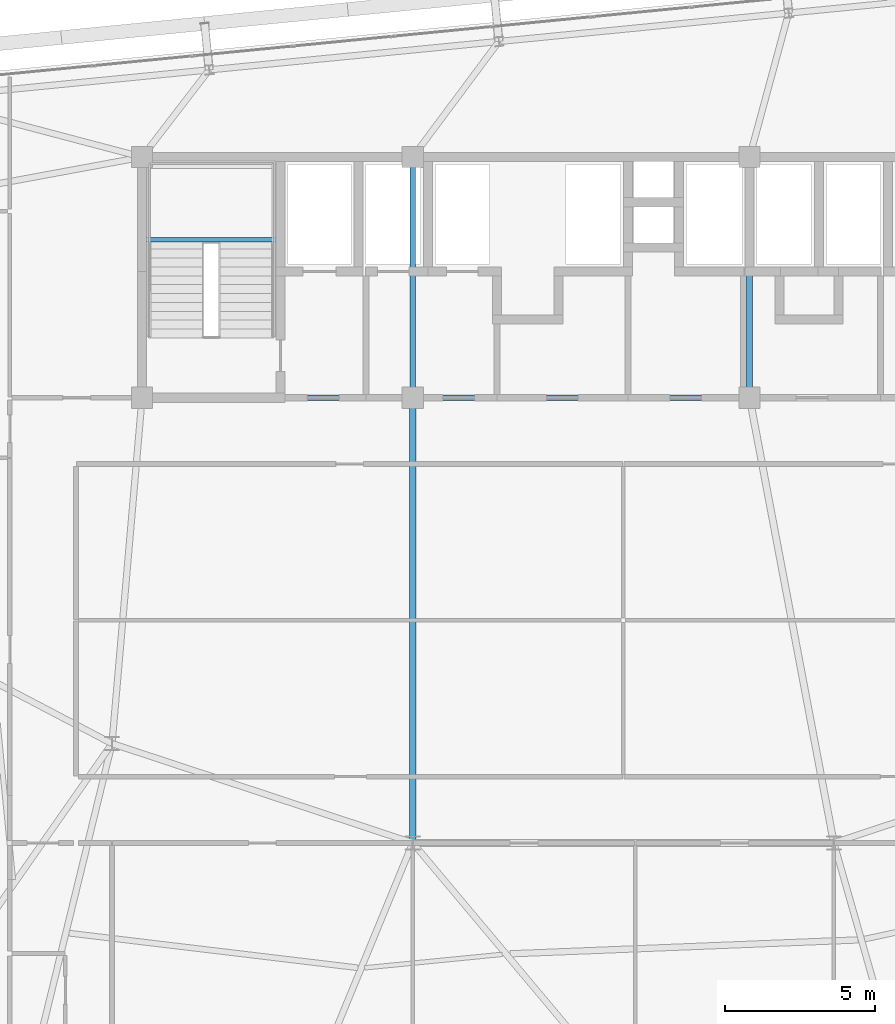
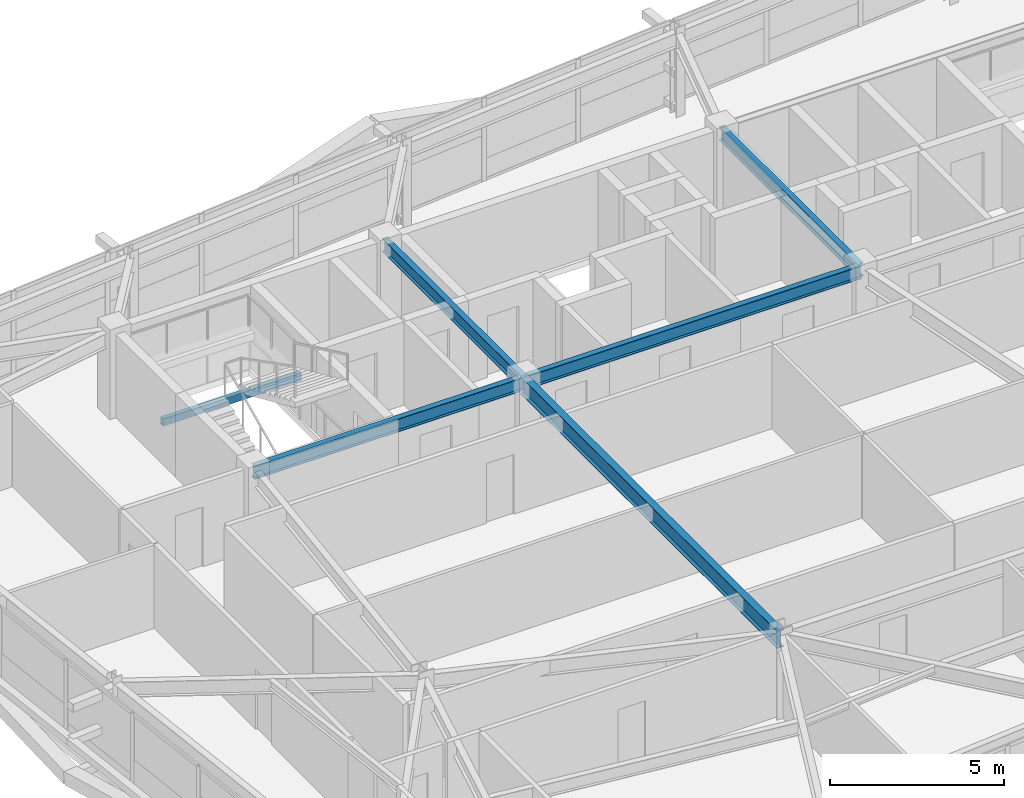
# One storey, part 16 of 52: 6 beams.
"""IFC4 building model written with IfcOpenShell, lengths in metres."""

from ifc_helpers import new_model, si_unit, direction, frame, origin, origin_2d, place, context, subcontext, project, spatial, hollow_rectangle, i_section, extrude, source, transform, mapped, material, material_profile, profile_set, type_object, element, save


model = new_model("IFC4")

# Units and contexts
model_context = context("Model", 3, precision=1e-05, world=origin(), true_north=direction((0.0, 1.0)))
body_context = subcontext(model_context, "Body", "Model", "MODEL_VIEW")
ifc_project = project(units=[si_unit("LENGTHUNIT", "METRE"), si_unit("AREAUNIT", "SQUARE_METRE"), si_unit("VOLUMEUNIT", "CUBIC_METRE"), si_unit("PLANEANGLEUNIT", "RADIAN"), si_unit("MASSUNIT", "GRAM", prefix="KILO")], contexts=[model_context])

# Site, building, storey
site_placement = place(None, origin())
site = spatial("IfcSite", under=ifc_project, at=site_placement, CompositionType="ELEMENT")
building_placement = place(site_placement, origin())
building = spatial("IfcBuilding", under=site, at=building_placement, Name="Taldren Reach Tower", CompositionType="ELEMENT")
storey_placement = place(building_placement, frame((0.0, 0.0, 77.699951171875)))
storey = spatial("IfcBuildingStorey", under=building, at=storey_placement, Name="L23", CompositionType="ELEMENT", Elevation=77.699951171875)

# Beams
ifc_material_1 = material(Name="Steel Gr 350 (350PLUS)", Category="steel")
ifc_material_profile_1 = material_profile(ifc_material_1, i_section(OverallWidth=0.19091796875, OverallDepth=0.4599609375, WebThickness=0.010009765625, FlangeThickness=0.01611328125, at=origin_2d()), Name="460UB82.1")
ifc_profile_set_1 = profile_set([ifc_material_profile_1], Name="Steel Gr 350 (350PLUS)")
beam_type_1 = type_object("IfcBeamType", Name="BM-UB460A", PredefinedType="BEAM", material=ifc_profile_set_1)
shared_shape_1 = source(origin(), body_context, "Body", "SweptSolid", [
    extrude(i_section(OverallWidth=0.19091796875, OverallDepth=0.4599609375, WebThickness=0.010009765625, FlangeThickness=0.01611328125, at=origin_2d()), origin(), (0.0, 0.0, 1.0), 9.0),
])
beam_1_placement = place(storey_placement, frame((19.0, 24.0, 2.699951171875), z_axis=(1.0, 0.0, 0.0), x_axis=(0.0, 1.0, 0.0)))
element("IfcBeam", 1, at=beam_1_placement, inside=storey, type_object=beam_type_1, Name="Core-spine girder L23-SP01", PredefinedType="BEAM", context=body_context, shape_type="MappedRepresentation", body=[
    mapped(shared_shape_1, transform((0.0, 0.0, 0.0), scale=1.0)),
])
shared_shape_2 = source(origin(), body_context, "Body", "SweptSolid", [
    extrude(i_section(OverallWidth=0.19091796875, OverallDepth=0.4599609375, WebThickness=0.010009765625, FlangeThickness=0.01611328125, at=origin_2d()), origin(), (0.0, 0.0, 1.0), 11.199951171875),
])
beam_2_placement = place(storey_placement, frame((28.0, 24.0, 2.699951171875), z_axis=(1.0, 0.0, 0.0), x_axis=(0.0, 1.0, 0.0)))
element("IfcBeam", 2, at=beam_2_placement, inside=storey, type_object=beam_type_1, Name="Core-spine girder L23-SP02", PredefinedType="BEAM", context=body_context, shape_type="MappedRepresentation", body=[
    mapped(shared_shape_2, transform((0.0, 0.0, 0.0), scale=1.0)),
])
shared_shape_3 = source(origin(), body_context, "Body", "SweptSolid", [
    extrude(i_section(OverallWidth=0.19091796875, OverallDepth=0.4599609375, WebThickness=0.010009765625, FlangeThickness=0.01611328125, at=origin_2d()), origin(), (0.0, 0.0, 1.0), 8.0),
])
for number, where, z_axis, x_axis, name in (
    (3, (28.0, 24.0, 2.699951171875), (0.0, 1.0, 0.0), (-1.0, 0.0, 0.0), "Core-spine girder L23-SP07"),
    (4, (39.199951171875, 24.0, 2.699951171875), (0.0, 1.0, 0.0), (-1.0, 0.0, 0.0), "Core-spine girder L23-SP08"),
):
    element("IfcBeam", number, at=place(storey_placement, frame(where, z_axis=z_axis, x_axis=x_axis)), inside=storey, type_object=beam_type_1, Name=name, PredefinedType="BEAM", context=body_context, shape_type="MappedRepresentation", body=[
        mapped(shared_shape_3, transform((0.0, 0.0, 0.0), scale=1.0)),
    ])
ifc_material_profile_2 = material_profile(ifc_material_1, i_section(OverallWidth=0.22802734375, OverallDepth=0.60205078125, WebThickness=0.010498046875, FlangeThickness=0.014892578125, at=origin_2d()), Name="610UB101")
ifc_profile_set_2 = profile_set([ifc_material_profile_2], Name="Steel Gr 350 (350PLUS)")
beam_type_2 = type_object("IfcBeamType", Name="BM-UB610B", PredefinedType="BEAM", material=ifc_profile_set_2)
shared_shape_4 = source(origin(), body_context, "Body", "SweptSolid", [
    extrude(i_section(OverallWidth=0.22802734375, OverallDepth=0.60205078125, WebThickness=0.010498046875, FlangeThickness=0.014892578125, at=origin_2d()), origin(), (0.0, 0.0, 1.0), 14.800048828125),
])
beam_3_placement = place(storey_placement, frame((28.0, 24.0, 2.629150390625), z_axis=(0.0, -1.0, 0.0), x_axis=(1.0, 0.0, 0.0)))
element("IfcBeam", 5, at=beam_3_placement, inside=storey, type_object=beam_type_2, Name="Core-spine girder L23-SP14", PredefinedType="BEAM", context=body_context, shape_type="MappedRepresentation", body=[
    mapped(shared_shape_4, transform((0.0, 0.0, 0.0), scale=1.0)),
])
ifc_material_2 = material(Name="Steel Gr 350 (C350L0)", Category="steel")
ifc_material_profile_3 = material_profile(ifc_material_2, hollow_rectangle(XDim=0.14990234375, YDim=0.25, WallThickness=0.009033203125, at=origin_2d()), Name="250x150x9.0RHS")
ifc_profile_set_3 = profile_set([ifc_material_profile_3], Name="Steel Gr 350 (C350L0)")
beam_type_3 = type_object("IfcBeamType", Name="LN-RHS250", PredefinedType="LINTEL", material=ifc_profile_set_3)
shared_shape_5 = source(origin(), body_context, "Body", "SweptSolid", [
    extrude(hollow_rectangle(XDim=0.14990234375, YDim=0.25, WallThickness=0.009033203125, at=origin_2d()), origin(), (0.0, 0.0, 1.0), 4.60009765625),
])
beam_4_placement = place(storey_placement, frame((19.0, 29.2548828125, 1.27001953125), z_axis=(1.0, 0.0, 0.0), x_axis=(0.0, 1.0, 0.0)))
element("IfcBeam", 6, at=beam_4_placement, inside=storey, type_object=beam_type_3, Name="Stair half-landing support beam ST1-L23-1", PredefinedType="LINTEL", context=body_context, shape_type="MappedRepresentation", body=[
    mapped(shared_shape_5, transform((0.0, 0.0, 0.0), scale=1.0)),
])

save(model, "model.ifc")
